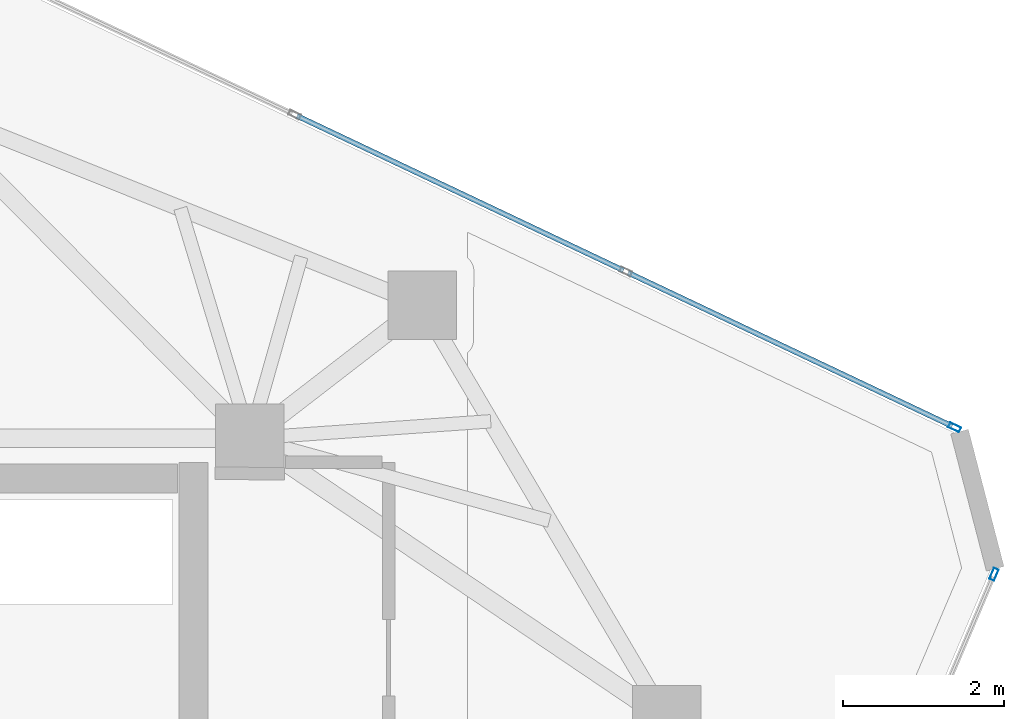
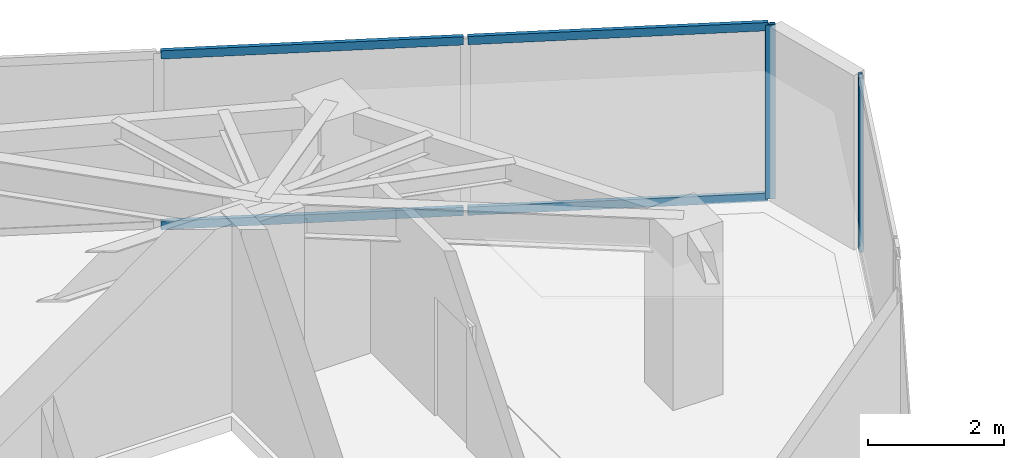
# One storey, part 15 of 20: 6 members, 2 elements without a shape of their own.
"""IFC4 building model written with IfcOpenShell, lengths in metres."""

import ifcopenshell
import ifcopenshell.guid

model = None  # the IFC model being written
_history = None  # IfcOwnerHistory: only IFC2X3 demands one
_inside = {}  # id of a spatial element -> (the spatial element, [elements in it])
_under = {}  # id of a project, library or spatial element -> (it, [spatial elements below it])
_declared = {}  # id of a project -> (the project, [libraries it declares])
_typed = {}  # id of a type object -> (the type object, [elements of that type])
_made_of = {}  # id of a material, layer set ... -> (it, [elements and type objects made of it])


def new_model(schema):
    """Start an empty IFC model of exactly this schema.

    Asked for "IFC4X3", IfcOpenShell would pick the latest addendum, in which some entities
    have other attributes; the version numbers below select the first issue.
    IFC2X3 requires an IfcOwnerHistory on every rooted entity: one is made here for all.
    """
    global model, _history
    if schema == "IFC4X3":
        model = ifcopenshell.file(schema_version=(4, 3, 0, 0))
    else:
        model = ifcopenshell.file(schema=schema)
    _inside.clear()
    _under.clear()
    _declared.clear()
    _typed.clear()
    _made_of.clear()
    _history = None
    if model.schema == "IFC2X3":
        org = make("IfcOrganization", Name="unknown")
        user = make(
            "IfcPersonAndOrganization",
            ThePerson=make("IfcPerson", FamilyName="unknown"),
            TheOrganization=org,
        )
        app = make(
            "IfcApplication",
            ApplicationDeveloper=org,
            Version="unknown",
            ApplicationFullName="unknown",
            ApplicationIdentifier="unknown",
        )
        _history = make(
            "IfcOwnerHistory",
            OwningUser=user,
            OwningApplication=app,
            ChangeAction="ADDED",
            CreationDate=0,
        )
    return model


def make(cls, **values):
    """One entity of the class cls with the attributes given. An attribute that is None is left unset."""
    return model.create_entity(
        cls, **{name: value for name, value in values.items() if value is not None}
    )


def rooted(cls, **values):
    """An entity with a GlobalId (a new one), such as an element, a storey or a relation."""
    return make(cls, GlobalId=ifcopenshell.guid.new(), OwnerHistory=_history, **values)


def si_unit(unit_type, name, prefix=None):
    """IfcSIUnit, for example si_unit("LENGTHUNIT", "METRE", prefix="MILLI")."""
    return make("IfcSIUnit", UnitType=unit_type, Prefix=prefix, Name=name)


def assignment(units):
    """IfcUnitAssignment: the units of a project."""
    return None if units is None else make("IfcUnitAssignment", Units=units)


def point(xyz):
    """IfcCartesianPoint."""
    return None if xyz is None else make("IfcCartesianPoint", Coordinates=xyz)


def direction(xyz):
    """IfcDirection."""
    return None if xyz is None else make("IfcDirection", DirectionRatios=xyz)


def frame(location, z_axis=None, x_axis=None):
    """IfcAxis2Placement3D, a coordinate frame: its origin and axes. An axis left out is left unset."""
    return make(
        "IfcAxis2Placement3D",
        Location=point(location),
        Axis=direction(z_axis),
        RefDirection=direction(x_axis),
    )


def frame_2d(location, x_axis=None):
    """IfcAxis2Placement2D, a coordinate frame in the plane: its origin and x axis."""
    return make(
        "IfcAxis2Placement2D", Location=point(location), RefDirection=direction(x_axis)
    )


def origin():
    """The frame at (0, 0, 0) with its axes left unset."""
    return frame((0.0, 0.0, 0.0))


def origin_2d():
    """The frame at (0, 0) in the plane with its x axis left unset."""
    return frame_2d((0.0, 0.0))


def place(relative_to, where):
    """IfcLocalPlacement: puts the frame where relative to a parent placement (None: the world)."""
    return make(
        "IfcLocalPlacement", PlacementRelTo=relative_to, RelativePlacement=where
    )


def context(
    kind, dimensions, precision=None, world=None, true_north=None, identifier=None
):
    """IfcGeometricRepresentationContext, for example the 3D "Model" context."""
    return make(
        "IfcGeometricRepresentationContext",
        ContextIdentifier=identifier,
        ContextType=kind,
        CoordinateSpaceDimension=dimensions,
        Precision=precision,
        WorldCoordinateSystem=world,
        TrueNorth=true_north,
    )


def subcontext(parent, identifier, kind, view, scale=None):
    """IfcGeometricRepresentationSubContext, for example "Body" below "Model"."""
    return make(
        "IfcGeometricRepresentationSubContext",
        ContextIdentifier=identifier,
        ContextType=kind,
        ParentContext=parent,
        TargetScale=scale,
        TargetView=view,
    )


def project(units=None, contexts=None):
    """IfcProject with its units and contexts."""
    return rooted(
        "IfcProject",
        Name="project",
        RepresentationContexts=contexts,
        UnitsInContext=assignment(units),
    )


def spatial(cls, under=None, at=None, **own):
    """A site, building, storey or space (cls), placed at a placement, below another one or the project."""
    s = rooted(cls, ObjectPlacement=at, **own)
    if under is not None:
        _under.setdefault(under.id(), (under, []))[1].append(s)
    return s


def profile(cls, at=None, kind="AREA", **sizes):
    """A parametric profile (cls). Its sizes go by their IFC names, for example OverallWidth=200.0."""
    return make(cls, ProfileType=kind, Position=at, **sizes)


def hollow_rectangle(**sizes):
    """IfcRectangleHollowProfileDef."""
    return profile("IfcRectangleHollowProfileDef", **sizes)


def extrude(swept, where, along, depth):
    """IfcExtrudedAreaSolid: the profile swept, set in the frame where, extruded along a direction by depth."""
    return make(
        "IfcExtrudedAreaSolid",
        SweptArea=swept,
        Position=where,
        ExtrudedDirection=direction(along),
        Depth=depth,
    )


def shape(context_of_items, identifier, shape_type, items):
    """IfcShapeRepresentation: the items that make up one representation, for example the "Body"."""
    return make(
        "IfcShapeRepresentation",
        ContextOfItems=context_of_items,
        RepresentationIdentifier=identifier,
        RepresentationType=shape_type,
        Items=items,
    )


def source(mapping_origin, context_of_items, identifier, shape_type, items):
    """IfcRepresentationMap: a shape defined once, which mapped items show again and again."""
    return make(
        "IfcRepresentationMap",
        MappingOrigin=mapping_origin,
        MappedRepresentation=shape(context_of_items, identifier, shape_type, items),
    )


def transform(
    local_origin,
    x_axis=None,
    y_axis=None,
    z_axis=None,
    scale=None,
    scale2=None,
    scale3=None,
    uniform=True,
):
    """IfcCartesianTransformationOperator3D, or its non-uniform kind. x_axis, y_axis, z_axis: its Axis1, 2, 3."""
    if uniform:
        return make(
            "IfcCartesianTransformationOperator3D",
            Axis1=direction(x_axis),
            Axis2=direction(y_axis),
            LocalOrigin=point(local_origin),
            Scale=scale,
            Axis3=direction(z_axis),
        )
    return make(
        "IfcCartesianTransformationOperator3DnonUniform",
        Axis1=direction(x_axis),
        Axis2=direction(y_axis),
        LocalOrigin=point(local_origin),
        Scale=scale,
        Axis3=direction(z_axis),
        Scale2=scale2,
        Scale3=scale3,
    )


def mapped(mapping_source, mapping_target):
    """IfcMappedItem: shows the shape of a source again, moved by a transform."""
    return make(
        "IfcMappedItem", MappingSource=mapping_source, MappingTarget=mapping_target
    )


def material(Name=None, Category=None):
    """IfcMaterial."""
    return make("IfcMaterial", Name=Name, Category=Category)


def layer(
    of_material, thickness, ventilated=None, Name=None, Category=None, Priority=None
):
    """IfcMaterialLayer: one layer of a wall or slab, of a material (None: an air gap)."""
    return make(
        "IfcMaterialLayer",
        Material=of_material,
        LayerThickness=thickness,
        IsVentilated=ventilated,
        Name=Name,
        Category=Category,
        Priority=Priority,
    )


def layer_set(layers, Name=None):
    """IfcMaterialLayerSet."""
    return make("IfcMaterialLayerSet", MaterialLayers=layers, LayerSetName=Name)


def material_profile(
    of_material, cross_section, Name=None, Category=None, Priority=None
):
    """IfcMaterialProfile: a cross section and its material."""
    return make(
        "IfcMaterialProfile",
        Name=Name,
        Material=of_material,
        Profile=cross_section,
        Priority=Priority,
        Category=Category,
    )


def profile_set(profiles, Name=None, composite=None):
    """IfcMaterialProfileSet."""
    return make(
        "IfcMaterialProfileSet",
        Name=Name,
        MaterialProfiles=profiles,
        CompositeProfile=composite,
    )


def made_of(thing, what):
    """Note that an element or type object is made of a material, layer set ...; save() writes the relation."""
    if what is not None:
        _made_of.setdefault(what.id(), (what, []))[1].append(thing)
    return thing


def type_object(cls, material=None, **own):
    """A type object (cls), such as IfcWallType, which elements share."""
    return made_of(rooted(cls, **own), material)


def type_shapes(of_type, sources):
    """Give a type object the sources (RepresentationMaps) that its elements show as mapped items."""
    of_type.RepresentationMaps = sources


def element(
    cls,
    number,
    at=None,
    inside=None,
    cuts=None,
    type_object=None,
    material=None,
    context=None,
    identifier="Body",
    shape_type=None,
    held_by="IfcProductDefinitionShape",
    body=None,
    shapes=None,
    **own,
):
    """One element of the class cls, such as IfcWall. Its Tag is "e" and its number.

    at: its placement. inside: the storey or other place that contains it. cuts: it is an
    opening in that element (IfcRelVoidsElement). A single representation is given by context,
    identifier, shape_type and body (its items); several are given by shapes. held_by: the class
    of the entity that holds the representations. save() writes the other relations.
    """
    e = rooted(cls, Tag="e%d" % number, ObjectPlacement=at, **own)
    if body is not None:
        shapes = [shape(context, identifier, shape_type, body)]
    if shapes is not None:
        e.Representation = make(held_by, Representations=shapes)
    if inside is not None:
        _inside.setdefault(inside.id(), (inside, []))[1].append(e)
    if cuts is not None:
        rooted(
            "IfcRelVoidsElement", RelatingBuildingElement=cuts, RelatedOpeningElement=e
        )
    if type_object is not None:
        _typed.setdefault(type_object.id(), (type_object, []))[1].append(e)
    return made_of(e, material)


def aggregate(whole, parts):
    """IfcRelAggregates: a whole, such as a stair, and the parts it consists of."""
    return rooted("IfcRelAggregates", RelatingObject=whole, RelatedObjects=parts)


def save(model, path):
    """Write the relations noted so far, then the file.

    IfcRelAggregates (storeys below a building ...), IfcRelContainedInSpatialStructure (elements
    in a storey), IfcRelDefinesByType, IfcRelAssociatesMaterial and IfcRelDeclares: one each for
    every whole, place, type object, material and project.
    """
    for whole, parts in _under.values():
        aggregate(whole, parts)
    for where, things in _inside.values():
        rooted(
            "IfcRelContainedInSpatialStructure",
            RelatedElements=things,
            RelatingStructure=where,
        )
    for kind, things in _typed.values():
        rooted("IfcRelDefinesByType", RelatedObjects=things, RelatingType=kind)
    for what, things in _made_of.values():
        rooted("IfcRelAssociatesMaterial", RelatedObjects=things, RelatingMaterial=what)
    for by, libraries in _declared.values():
        rooted("IfcRelDeclares", RelatingContext=by, RelatedDefinitions=libraries)
    model.write(path)


model = new_model("IFC4")

# Units and contexts
model_context = context("Model", 3, precision=1e-05, world=origin(), true_north=direction((0.0, 1.0)))
body_context = subcontext(model_context, "Body", "Model", "MODEL_VIEW")
ifc_project = project(units=[si_unit("LENGTHUNIT", "METRE"), si_unit("AREAUNIT", "SQUARE_METRE"), si_unit("VOLUMEUNIT", "CUBIC_METRE"), si_unit("PLANEANGLEUNIT", "RADIAN"), si_unit("MASSUNIT", "GRAM", prefix="KILO")], contexts=[model_context])

# Site, building, storey
site_placement = place(None, origin())
site = spatial("IfcSite", under=ifc_project, at=site_placement, CompositionType="ELEMENT")
building_placement = place(site_placement, origin())
building = spatial("IfcBuilding", under=site, at=building_placement, Name="Talar Marvaseh", CompositionType="ELEMENT")
storey_placement = place(building_placement, frame((0.0, 0.0, 274.800048828125)))
storey = spatial("IfcBuildingStorey", under=building, at=storey_placement, Name="L73", CompositionType="ELEMENT", Elevation=274.800048828125)

# Curtain wall, member
ifc_material = material(Name="Architectural Aluminium", Category="aluminium")
ifc_layer = layer(ifc_material, 0.179931640625)
ifc_layer_set = layer_set([ifc_layer], Name="Architectural Aluminium")
curtain_wall_type = type_object("IfcCurtainWallType", Name="Unitised High-Wind Sky Curtain Wall Z4", PredefinedType="NOTDEFINED", material=ifc_layer_set)
curtain_wall_1_placement = place(storey_placement, origin())
curtain_wall_1 = element("IfcCurtainWall", 1, at=curtain_wall_1_placement, inside=storey, type_object=curtain_wall_type, Name="L73 Unitised High-Wind Sky Curtain Wall Z4", PredefinedType="NOTDEFINED")
ifc_material_profile_1 = material_profile(ifc_material, hollow_rectangle(XDim=0.06494140625, YDim=0.14990234375, WallThickness=0.00390625, at=origin_2d()), Name="RHS150x65x4")
ifc_profile_set_1 = profile_set([ifc_material_profile_1], Name="Architectural Aluminium")
member_type_1 = type_object("IfcMemberType", Name="Unitised Curtain Wall Slim Mullion RHS150x65x4", PredefinedType="MULLION", material=ifc_profile_set_1)
shared_shape_1 = source(origin(), body_context, "Body", "SweptSolid", [
    extrude(hollow_rectangle(XDim=0.06494140625, YDim=0.14990234375, WallThickness=0.00390625, at=origin_2d()), origin(), (0.0, 0.0, 1.0), 3.139892578125),
])
type_shapes(member_type_1, [shared_shape_1])
member_1_placement = place(storey_placement, frame((42.04052734375, 37.034912109375, 0.0), z_axis=(0.0, 0.0, 1.0), x_axis=(0.42809044326, 0.903735897478, 0.0)))
member_1 = element("IfcMember", 2, at=member_1_placement, type_object=member_type_1, Name="CW-Z4 mullion 4", PredefinedType="MULLION", context=body_context, shape_type="MappedRepresentation", body=[
    mapped(shared_shape_1, transform((0.0, 0.0, 0.0), x_axis=(1.0, 0.0, 0.0), y_axis=(0.0, 1.0, 0.0), z_axis=(0.0, 0.0, 1.0), scale=1.0)),
])

curtain_wall_2_placement = place(storey_placement, origin())
curtain_wall_2 = element("IfcCurtainWall", 3, at=curtain_wall_2_placement, inside=storey, type_object=curtain_wall_type, Name="L73 Unitised High-Wind Sky Curtain Wall Z4", PredefinedType="NOTDEFINED")
member_2_placement = place(storey_placement, frame((42.529052734375, 35.2119140625, 0.0), z_axis=(0.0, 0.0, 1.0), x_axis=(0.920444783681, -0.39087261377, 0.0)))
member_2 = element("IfcMember", 4, at=member_2_placement, type_object=member_type_1, Name="CW-Z4 mullion 1", PredefinedType="MULLION", context=body_context, shape_type="MappedRepresentation", body=[
    mapped(shared_shape_1, transform((0.0, 0.0, 0.0), x_axis=(1.0, 0.0, 0.0), y_axis=(0.0, 1.0, 0.0), z_axis=(0.0, 0.0, 1.0), scale=1.0)),
])
aggregate(curtain_wall_2, [member_2])

# Member
ifc_material_profile_2 = material_profile(ifc_material, hollow_rectangle(XDim=0.06494140625, YDim=0.14990234375, WallThickness=0.00390625, at=origin_2d()), Name="RHS150x65x4")
ifc_profile_set_2 = profile_set([ifc_material_profile_2], Name="Architectural Aluminium")
member_type_2 = type_object("IfcMemberType", Name="Unitised Curtain Wall Slim Transom RHS150x65x4", PredefinedType="USERDEFINED", material=ifc_profile_set_2)
shared_shape_2 = source(origin(), body_context, "Body", "SweptSolid", [
    extrude(hollow_rectangle(XDim=0.06494140625, YDim=0.14990234375, WallThickness=0.00390625, at=origin_2d()), origin(), (0.0, 0.0, 1.0), 4.447265625),
])
member_3_placement = place(storey_placement, frame((37.991943359375, 38.95263671875, 0.032470703125), z_axis=(0.903743427718, -0.428074545912, 0.0), x_axis=(0.428074545912, 0.903743427718, 0.0)))
member_3 = element("IfcMember", 5, at=member_3_placement, type_object=member_type_2, Name="CW-Z4 transom 3.1", ObjectType="TRANSOM", PredefinedType="USERDEFINED", context=body_context, shape_type="MappedRepresentation", body=[
    mapped(shared_shape_2, transform((0.0, 0.0, 0.0), x_axis=(1.0, 0.0, 0.0), y_axis=(0.0, 1.0, 0.0), z_axis=(0.0, 0.0, 1.0), scale=1.0)),
])

member_4_placement = place(storey_placement, frame((37.991943359375, 38.95263671875, 3.107421875), z_axis=(0.903743427718, -0.428074545912, 0.0), x_axis=(0.428074545912, 0.903743427718, 0.0)))
member_4 = element("IfcMember", 6, at=member_4_placement, type_object=member_type_2, Name="CW-Z4 transom 3.2", ObjectType="TRANSOM", PredefinedType="USERDEFINED", context=body_context, shape_type="MappedRepresentation", body=[
    mapped(shared_shape_2, transform((0.0, 0.0, 0.0), x_axis=(1.0, 0.0, 0.0), y_axis=(0.0, 1.0, 0.0), z_axis=(0.0, 0.0, 1.0), scale=1.0)),
])

shared_shape_3 = source(origin(), body_context, "Body", "SweptSolid", [
    extrude(hollow_rectangle(XDim=0.06494140625, YDim=0.14990234375, WallThickness=0.00390625, at=origin_2d()), origin(), (0.0, 0.0, 1.0), 4.480224609375),
])
type_shapes(member_type_2, [shared_shape_2, shared_shape_3])
member_5_placement = place(storey_placement, frame((33.884521484375, 40.8984375, 0.032470703125), z_axis=(0.903728961844, -0.428105084675, 0.0), x_axis=(0.428105084675, 0.903728961844, 0.0)))
member_5 = element("IfcMember", 7, at=member_5_placement, type_object=member_type_2, Name="CW-Z4 transom 2.1", ObjectType="TRANSOM", PredefinedType="USERDEFINED", context=body_context, shape_type="MappedRepresentation", body=[
    mapped(shared_shape_3, transform((0.0, 0.0, 0.0), x_axis=(1.0, 0.0, 0.0), y_axis=(0.0, 1.0, 0.0), z_axis=(0.0, 0.0, 1.0), scale=1.0)),
])

member_6_placement = place(storey_placement, frame((33.884521484375, 40.8984375, 3.107421875), z_axis=(0.903728961844, -0.428105084675, 0.0), x_axis=(0.428105084675, 0.903728961844, 0.0)))
member_6 = element("IfcMember", 8, at=member_6_placement, type_object=member_type_2, Name="CW-Z4 transom 2.2", ObjectType="TRANSOM", PredefinedType="USERDEFINED", context=body_context, shape_type="MappedRepresentation", body=[
    mapped(shared_shape_3, transform((0.0, 0.0, 0.0), x_axis=(1.0, 0.0, 0.0), y_axis=(0.0, 1.0, 0.0), z_axis=(0.0, 0.0, 1.0), scale=1.0)),
])

aggregate(curtain_wall_1, [member_1, member_5, member_6, member_3, member_4])

save(model, "model.ifc")
